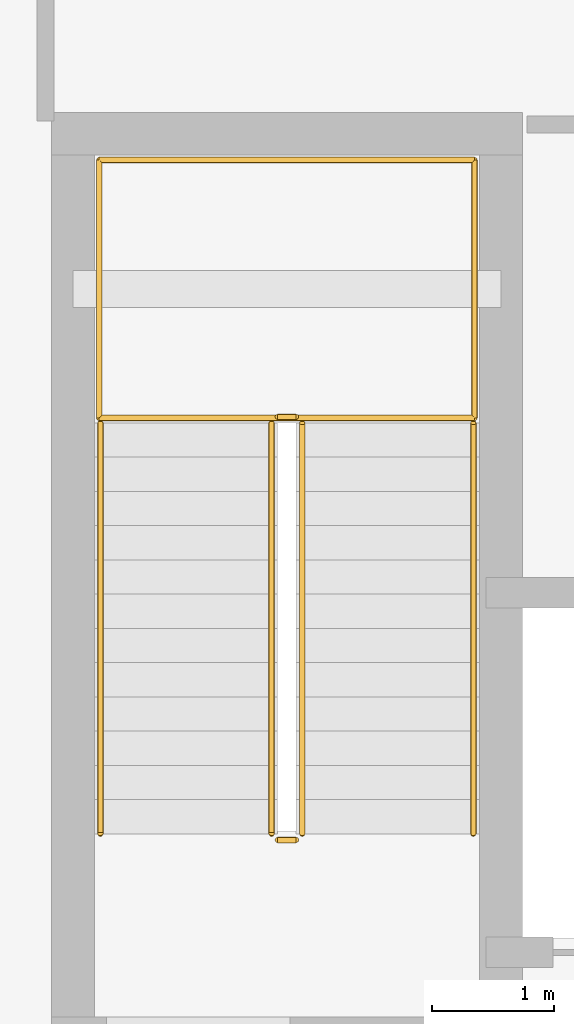
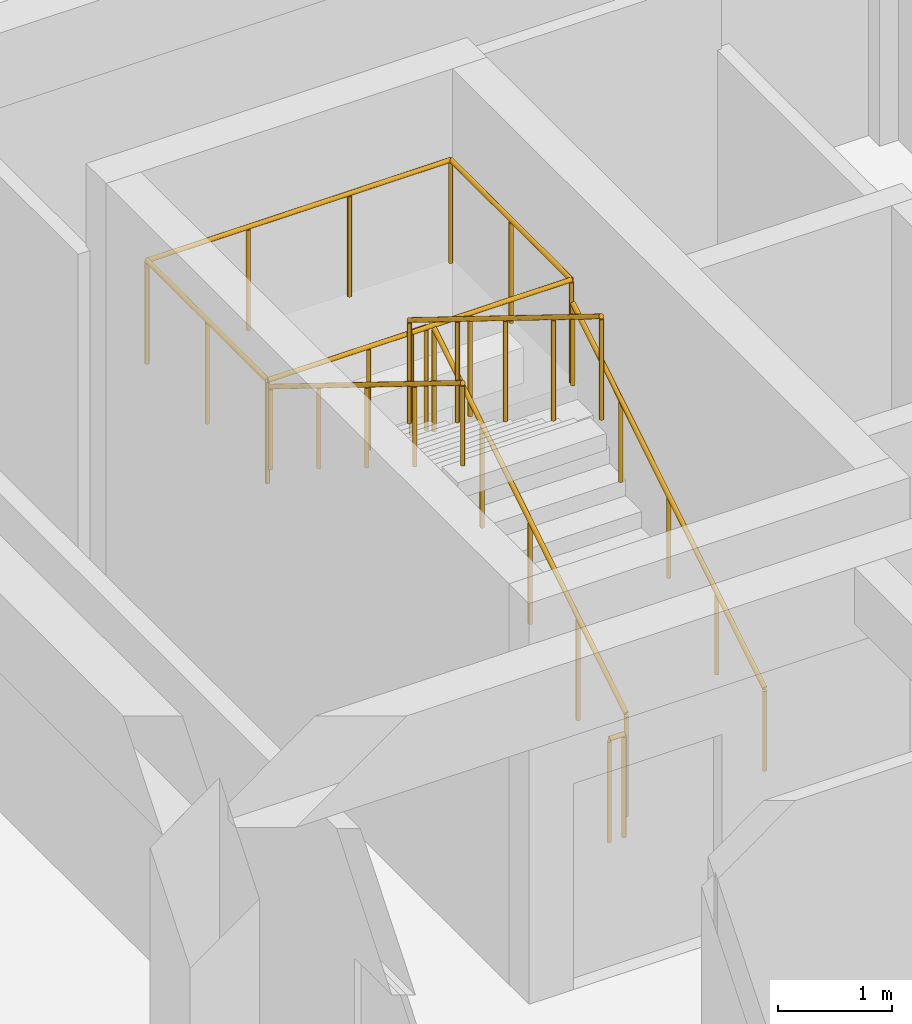
# One storey, part 34 of 34: 8 railings.
"""IFC4 building model written with IfcOpenShell, lengths in metres."""

from ifc_helpers import new_model, si_unit, direction, frame, origin, origin_2d, place, context, subcontext, project, spatial, circle, extrude, material, type_object, element, save


model = new_model("IFC4")

# Units and contexts
model_context = context("Model", 3, precision=1e-05, world=origin(), true_north=direction((0.0, 1.0)))
body_context = subcontext(model_context, "Body", "Model", "MODEL_VIEW")
ifc_project = project(units=[si_unit("LENGTHUNIT", "METRE"), si_unit("AREAUNIT", "SQUARE_METRE"), si_unit("VOLUMEUNIT", "CUBIC_METRE"), si_unit("PLANEANGLEUNIT", "RADIAN"), si_unit("MASSUNIT", "GRAM", prefix="KILO")], contexts=[model_context])

# Site, building, storey
site_placement = place(None, origin())
site = spatial("IfcSite", under=ifc_project, at=site_placement, CompositionType="ELEMENT")
building_placement = place(site_placement, origin())
building = spatial("IfcBuilding", under=site, at=building_placement, Name="Miralva Faculty of Natural Sciences", CompositionType="ELEMENT")
storey_placement = place(building_placement, frame((0.0, 0.0, 24.0)))
storey = spatial("IfcBuildingStorey", under=building, at=storey_placement, Name="L05", CompositionType="ELEMENT", Elevation=24.0)

# Railings
ifc_material = material(Name="Steel S355", Category="steel")
railing_type_1 = type_object("IfcRailingType", Name="RL-GR01", PredefinedType="GUARDRAIL", material=ifc_material)
railing_1_placement = place(storey_placement, frame((15.300048828125, 67.89990234375, 0.173095703125)))
element("IfcRailing", 1, at=railing_1_placement, inside=storey, type_object=railing_type_1, Name="Stair Core C2 safety guard L05-1", PredefinedType="GUARDRAIL", context=body_context, shape_type="SweptSolid", body=[
    extrude(circle(Radius=0.02392578125, at=origin_2d()), frame((0.0, 0.0, 1.09619140625), z_axis=(0.0, 0.850623216509, 0.525775754039), x_axis=(-1.0, 0.0, 0.0)), (0.0, 0.0, 1.0), 3.9501953125),
    extrude(circle(Radius=0.02099609375, at=origin_2d()), origin(), (0.0, 0.0, 1.0), 1.072021484375),
    extrude(circle(Radius=0.02099609375, at=origin_2d()), frame((0.0, 0.840087890625, 0.519287109375)), (0.0, 0.0, 1.0), 1.072021484375),
    extrude(circle(Radius=0.02099609375, at=origin_2d()), frame((0.0, 1.68017578125, 1.03857421875)), (0.0, 0.0, 1.0), 1.072021484375),
    extrude(circle(Radius=0.02099609375, at=origin_2d()), frame((0.0, 2.52001953125, 1.5576171875)), (0.0, 0.0, 1.0), 1.072021484375),
    extrude(circle(Radius=0.02099609375, at=origin_2d()), frame((0.0, 3.360107421875, 2.076904296875)), (0.0, 0.0, 1.0), 1.072021484375),
])
railing_2_placement = place(storey_placement, frame((15.25, 71.31005859375, 2.25)))
element("IfcRailing", 2, at=railing_2_placement, inside=storey, type_object=railing_type_1, Name="Stair Core C2 safety guard L05-2", PredefinedType="GUARDRAIL", context=body_context, shape_type="SweptSolid", body=[
    extrude(circle(Radius=0.02392578125, at=origin_2d()), frame((0.0, 0.0, 1.09619140625), z_axis=(-1.0, 0.0, 0.0), x_axis=(0.0, -1.0, 0.0)), (0.0, 0.0, 1.0), 0.14990234375),
    extrude(circle(Radius=0.02099609375, at=origin_2d()), origin(), (0.0, 0.0, 1.0), 1.072021484375),
    extrude(circle(Radius=0.02099609375, at=origin_2d()), frame((-0.14990234375, 0.0, 0.0)), (0.0, 0.0, 1.0), 1.072021484375),
])
railing_3_placement = place(storey_placement, frame((15.050048828125, 71.260009765625, 2.423095703125)))
element("IfcRailing", 3, at=railing_3_placement, inside=storey, type_object=railing_type_1, Name="Stair Core C2 safety guard L05-3", PredefinedType="GUARDRAIL", context=body_context, shape_type="SweptSolid", body=[
    extrude(circle(Radius=0.02392578125, at=origin_2d()), frame((0.0, 0.0, 1.09619140625), z_axis=(0.0, -0.850623216509, 0.525775754039), x_axis=(1.0, 0.0, 0.0)), (0.0, 0.0, 1.0), 3.9501953125),
    extrude(circle(Radius=0.02099609375, at=origin_2d()), origin(), (0.0, 0.0, 1.0), 1.072021484375),
    extrude(circle(Radius=0.02099609375, at=origin_2d()), frame((0.0, -0.840087890625, 0.519287109375)), (0.0, 0.0, 1.0), 1.072021484375),
    extrude(circle(Radius=0.02099609375, at=origin_2d()), frame((0.0, -1.68017578125, 1.03857421875)), (0.0, 0.0, 1.0), 1.072021484375),
    extrude(circle(Radius=0.02099609375, at=origin_2d()), frame((0.0, -2.52001953125, 1.5576171875)), (0.0, 0.0, 1.0), 1.072021484375),
    extrude(circle(Radius=0.02099609375, at=origin_2d()), frame((0.0, -3.360107421875, 2.076904296875)), (0.0, 0.0, 1.0), 1.072021484375),
])
railing_4_placement = place(storey_placement, frame((15.25, 67.85009765625, 0.0)))
element("IfcRailing", 4, at=railing_4_placement, inside=storey, type_object=railing_type_1, Name="Stair Core C2 safety guard L05-4", PredefinedType="GUARDRAIL", context=body_context, shape_type="SweptSolid", body=[
    extrude(circle(Radius=0.02392578125, at=origin_2d()), frame((0.0, 0.0, 1.09619140625), z_axis=(-1.0, 0.0, 0.0), x_axis=(0.0, -1.0, 0.0)), (0.0, 0.0, 1.0), 0.14990234375),
    extrude(circle(Radius=0.02099609375, at=origin_2d()), origin(), (0.0, 0.0, 1.0), 1.072021484375),
    extrude(circle(Radius=0.02099609375, at=origin_2d()), frame((-0.14990234375, 0.0, 0.0)), (0.0, 0.0, 1.0), 1.072021484375),
])
railing_5_placement = place(storey_placement, frame((13.639892578125, 71.300048828125, 2.25)))
element("IfcRailing", 5, at=railing_5_placement, inside=storey, type_object=railing_type_1, Name="Stair Core C2 half-landing guard L05-1A", PredefinedType="GUARDRAIL", context=body_context, shape_type="SweptSolid", body=[
    extrude(circle(Radius=0.02392578125, at=origin_2d()), frame((0.0, 0.0, 1.09619140625), z_axis=(0.0, 1.0, 0.0), x_axis=(-1.0, 0.0, 0.0)), (0.0, 0.0, 1.0), 2.10986328125),
    extrude(circle(Radius=0.02392578125, at=origin_2d()), frame((0.0, 2.10986328125, 1.09619140625), z_axis=(1.0, 0.0, 0.0), x_axis=(0.0, 1.0, 0.0)), (0.0, 0.0, 1.0), 3.070068359375),
    extrude(circle(Radius=0.02099609375, at=origin_2d()), origin(), (0.0, 0.0, 1.0), 1.072021484375),
    extrude(circle(Radius=0.02099609375, at=origin_2d()), frame((0.0, 1.054931640625, 0.0)), (0.0, 0.0, 1.0), 1.072021484375),
    extrude(circle(Radius=0.02099609375, at=origin_2d()), frame((0.0, 2.10986328125, 0.0)), (0.0, 0.0, 1.0), 1.072021484375),
    extrude(circle(Radius=0.02099609375, at=origin_2d()), frame((1.0234375, 2.10986328125, 0.0)), (0.0, 0.0, 1.0), 1.072021484375),
    extrude(circle(Radius=0.02099609375, at=origin_2d()), frame((2.046630859375, 2.10986328125, 0.0)), (0.0, 0.0, 1.0), 1.072021484375),
    extrude(circle(Radius=0.02099609375, at=origin_2d()), frame((3.070068359375, 2.10986328125, 0.0)), (0.0, 0.0, 1.0), 1.072021484375),
])
railing_6_placement = place(storey_placement, frame((16.7099609375, 73.409912109375, 2.25)))
element("IfcRailing", 6, at=railing_6_placement, inside=storey, type_object=railing_type_1, Name="Stair Core C2 half-landing guard L05-1B", PredefinedType="GUARDRAIL", context=body_context, shape_type="SweptSolid", body=[
    extrude(circle(Radius=0.02392578125, at=origin_2d()), frame((0.0, 0.0, 1.09619140625), z_axis=(0.0, -1.0, 0.0), x_axis=(1.0, 0.0, 0.0)), (0.0, 0.0, 1.0), 2.10986328125),
    extrude(circle(Radius=0.02392578125, at=origin_2d()), frame((0.0, -2.10986328125, 1.09619140625), z_axis=(-1.0, 0.0, 0.0), x_axis=(0.0, -1.0, 0.0)), (0.0, 0.0, 1.0), 3.070068359375),
    extrude(circle(Radius=0.02099609375, at=origin_2d()), origin(), (0.0, 0.0, 1.0), 1.072021484375),
    extrude(circle(Radius=0.02099609375, at=origin_2d()), frame((0.0, -1.054931640625, 0.0)), (0.0, 0.0, 1.0), 1.072021484375),
    extrude(circle(Radius=0.02099609375, at=origin_2d()), frame((0.0, -2.10986328125, 0.0)), (0.0, 0.0, 1.0), 1.072021484375),
    extrude(circle(Radius=0.02099609375, at=origin_2d()), frame((-1.0234375, -2.10986328125, 0.0)), (0.0, 0.0, 1.0), 1.072021484375),
    extrude(circle(Radius=0.02099609375, at=origin_2d()), frame((-2.046630859375, -2.10986328125, 0.0)), (0.0, 0.0, 1.0), 1.072021484375),
    extrude(circle(Radius=0.02099609375, at=origin_2d()), frame((-3.070068359375, -2.10986328125, 0.0)), (0.0, 0.0, 1.0), 1.072021484375),
])
railing_type_2 = type_object("IfcRailingType", Name="RL-HR01", PredefinedType="HANDRAIL", material=ifc_material)
railing_7_placement = place(storey_placement, frame((16.699951171875, 67.89990234375, 0.173095703125)))
element("IfcRailing", 7, at=railing_7_placement, inside=storey, type_object=railing_type_2, Name="Stair Core C2 handrail L05-1", PredefinedType="HANDRAIL", context=body_context, shape_type="SweptSolid", body=[
    extrude(circle(Radius=0.02392578125, at=origin_2d()), frame((0.0, 0.0, 0.8759765625), z_axis=(0.0, 0.850623216509, 0.525775754039), x_axis=(-1.0, 0.0, 0.0)), (0.0, 0.0, 1.0), 3.9501953125),
    extrude(circle(Radius=0.02099609375, at=origin_2d()), origin(), (0.0, 0.0, 1.0), 0.851806640625),
    extrude(circle(Radius=0.02099609375, at=origin_2d()), frame((0.0, 0.840087890625, 0.519287109375)), (0.0, 0.0, 1.0), 0.851806640625),
    extrude(circle(Radius=0.02099609375, at=origin_2d()), frame((0.0, 1.68017578125, 1.03857421875)), (0.0, 0.0, 1.0), 0.851806640625),
    extrude(circle(Radius=0.02099609375, at=origin_2d()), frame((0.0, 2.52001953125, 1.5576171875)), (0.0, 0.0, 1.0), 0.851806640625),
    extrude(circle(Radius=0.02099609375, at=origin_2d()), frame((0.0, 3.360107421875, 2.076904296875)), (0.0, 0.0, 1.0), 0.851806640625),
])
railing_8_placement = place(storey_placement, frame((13.64990234375, 71.260009765625, 2.423095703125)))
element("IfcRailing", 8, at=railing_8_placement, inside=storey, type_object=railing_type_2, Name="Stair Core C2 handrail L05-2", PredefinedType="HANDRAIL", context=body_context, shape_type="SweptSolid", body=[
    extrude(circle(Radius=0.02392578125, at=origin_2d()), frame((0.0, 0.0, 0.8759765625), z_axis=(0.0, -0.850623216509, 0.525775754039), x_axis=(1.0, 0.0, 0.0)), (0.0, 0.0, 1.0), 3.9501953125),
    extrude(circle(Radius=0.02099609375, at=origin_2d()), origin(), (0.0, 0.0, 1.0), 0.851806640625),
    extrude(circle(Radius=0.02099609375, at=origin_2d()), frame((0.0, -0.840087890625, 0.519287109375)), (0.0, 0.0, 1.0), 0.851806640625),
    extrude(circle(Radius=0.02099609375, at=origin_2d()), frame((0.0, -1.68017578125, 1.03857421875)), (0.0, 0.0, 1.0), 0.851806640625),
    extrude(circle(Radius=0.02099609375, at=origin_2d()), frame((0.0, -2.52001953125, 1.5576171875)), (0.0, 0.0, 1.0), 0.851806640625),
    extrude(circle(Radius=0.02099609375, at=origin_2d()), frame((0.0, -3.360107421875, 2.076904296875)), (0.0, 0.0, 1.0), 0.851806640625),
])

save(model, "model.ifc")
